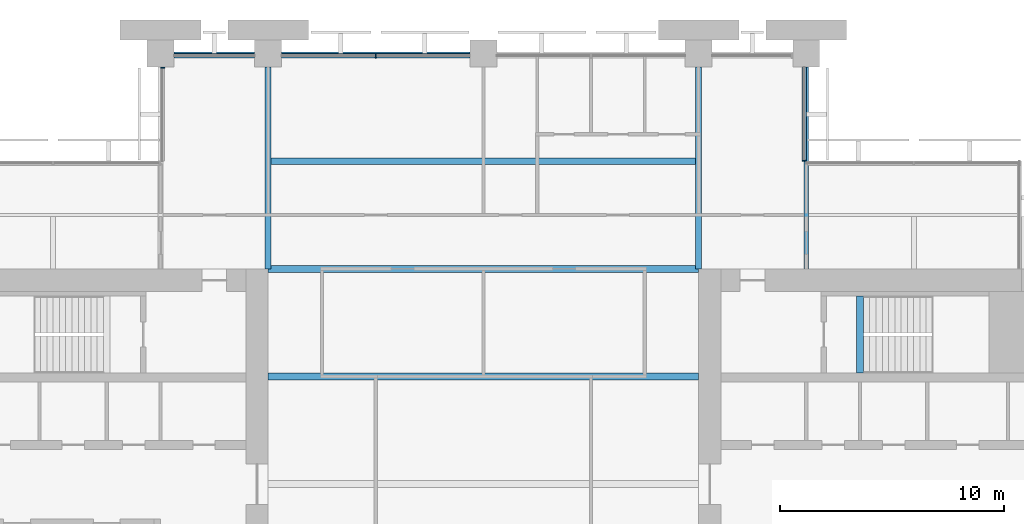
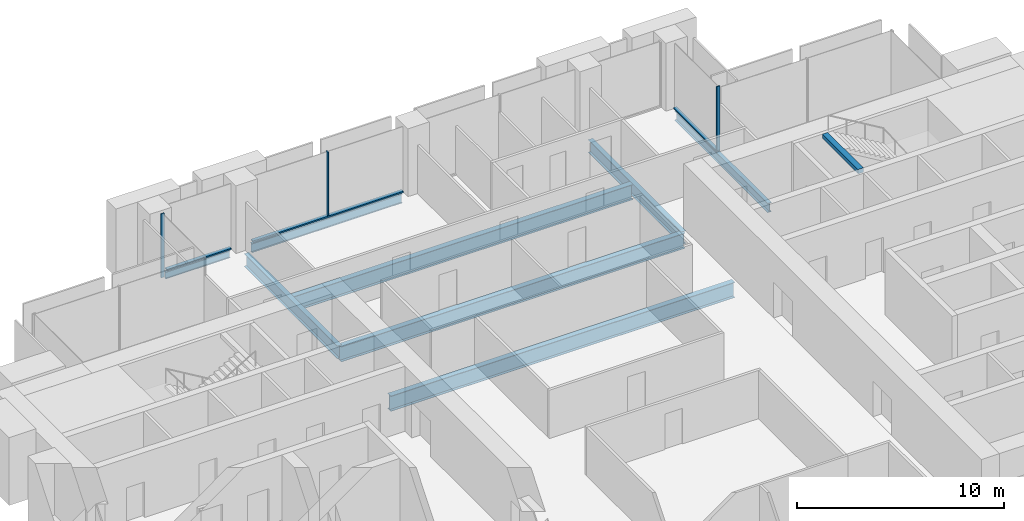
# One storey, part 6 of 14: 9 beams, 6 members, 3 elements without a shape of their own.
"""IFC4 building model written with IfcOpenShell, lengths in metres."""

from ifc_helpers import new_model, si_unit, direction, frame, origin, origin_2d, place, context, subcontext, project, spatial, rectangle, i_section, extrude, material, material_profile, profile_set, type_object, element, aggregate, save


model = new_model("IFC4")

# Units and contexts
model_context = context("Model", 3, precision=1e-05, world=origin(), true_north=direction((0.0, 1.0)))
body_context = subcontext(model_context, "Body", "Model", "MODEL_VIEW")
ifc_project = project(units=[si_unit("LENGTHUNIT", "METRE"), si_unit("AREAUNIT", "SQUARE_METRE"), si_unit("VOLUMEUNIT", "CUBIC_METRE"), si_unit("PLANEANGLEUNIT", "RADIAN"), si_unit("MASSUNIT", "GRAM", prefix="KILO")], contexts=[model_context])

# Site, building, storey
site_placement = place(None, origin())
site = spatial("IfcSite", under=ifc_project, at=site_placement, CompositionType="ELEMENT")
building_placement = place(site_placement, origin())
building = spatial("IfcBuilding", under=site, at=building_placement, Name="Baori Bourse Tower", CompositionType="ELEMENT")
storey_placement = place(building_placement, frame((0.0, 0.0, 124.10009765625)))
storey = spatial("IfcBuildingStorey", under=building, at=storey_placement, Name="L26", CompositionType="ELEMENT", Elevation=124.10009765625)

# Curtain wall, members
ifc_material_1 = material(Name="Pale anodised aluminium", Category="aluminium")
curtain_wall_type_1 = type_object("IfcCurtainWallType", Name="CW1 Curtain wall", PredefinedType="NOTDEFINED", material=ifc_material_1)
curtain_wall_1_placement = place(storey_placement, origin())
curtain_wall_1 = element("IfcCurtainWall", 1, at=curtain_wall_1_placement, inside=storey, type_object=curtain_wall_type_1, Name="Curtain wall CW1 L26 4", PredefinedType="NOTDEFINED")
ifc_material_2 = material(Name="Pale anodised aluminium", Category="aluminium")
ifc_material_profile_1 = material_profile(ifc_material_2, rectangle(XDim=0.199951171875, YDim=0.06005859375, at=origin_2d()), Name="Mullion 60x200")
ifc_profile_set_1 = profile_set([ifc_material_profile_1], Name="Pale anodised aluminium")
member_type_1 = type_object("IfcMemberType", Name="CW1 Curtain wall mullion", PredefinedType="MULLION", material=ifc_profile_set_1)
member_1_placement = place(storey_placement, frame((24.0, 47.89990234375, 0.079833984375), z_axis=(0.0, 0.0, 1.0), x_axis=(0.0, -1.0, 0.0)))
member_1 = element("IfcMember", 2, at=member_1_placement, type_object=member_type_1, Name="Curtain wall CW1 mullion", PredefinedType="MULLION", context=body_context, shape_type="SweptSolid", body=[
    extrude(rectangle(XDim=0.199951171875, YDim=0.06005859375, at=origin_2d()), origin(), (0.0, 0.0, 1.0), 3.760009765625),
])
ifc_material_3 = material(Name="Pale anodised aluminium", Category="aluminium")
ifc_material_profile_2 = material_profile(ifc_material_3, rectangle(XDim=0.199951171875, YDim=0.080078125, at=origin_2d()), Name="Transom 80x200")
ifc_profile_set_2 = profile_set([ifc_material_profile_2], Name="Pale anodised aluminium")
member_type_2 = type_object("IfcMemberType", Name="CW1 Curtain wall transom", PredefinedType="USERDEFINED", material=ifc_profile_set_2)
member_2_placement = place(storey_placement, frame((28.199951171875, 47.89990234375, 0.039794921875), z_axis=(-1.0, 0.0, 0.0), x_axis=(0.0, -1.0, 0.0)))
member_2 = element("IfcMember", 3, at=member_2_placement, type_object=member_type_2, Name="Curtain wall CW1 sill rail", ObjectType="TRANSOM", PredefinedType="USERDEFINED", context=body_context, shape_type="SweptSolid", body=[
    extrude(rectangle(XDim=0.199951171875, YDim=0.080078125, at=origin_2d()), origin(), (0.0, 0.0, 1.0), 8.39990234375),
])
member_3_placement = place(storey_placement, frame((18.60009765625, 47.89990234375, 0.039794921875), z_axis=(-1.0, 0.0, 0.0), x_axis=(0.0, -1.0, 0.0)))
member_3 = element("IfcMember", 4, at=member_3_placement, type_object=member_type_2, Name="Curtain wall CW1 sill rail", ObjectType="TRANSOM", PredefinedType="USERDEFINED", context=body_context, shape_type="SweptSolid", body=[
    extrude(rectangle(XDim=0.199951171875, YDim=0.080078125, at=origin_2d()), origin(), (0.0, 0.0, 1.0), 3.60009765625),
])
aggregate(curtain_wall_1, [member_2, member_1, member_3])

# Curtain wall, member
ifc_material_4 = material(Name="Pale anodised aluminium", Category="aluminium")
curtain_wall_type_2 = type_object("IfcCurtainWallType", Name="CW2 Curtain wall", PredefinedType="NOTDEFINED", material=ifc_material_4)
curtain_wall_2_placement = place(storey_placement, origin())
curtain_wall_2 = element("IfcCurtainWall", 5, at=curtain_wall_2_placement, inside=storey, type_object=curtain_wall_type_2, Name="Curtain wall CW2 L26 3", PredefinedType="NOTDEFINED")
ifc_material_5 = material(Name="Pale anodised aluminium", Category="aluminium")
ifc_material_profile_3 = material_profile(ifc_material_5, rectangle(XDim=0.179931640625, YDim=0.054931640625, at=origin_2d()), Name="Mullion 55x180")
ifc_profile_set_3 = profile_set([ifc_material_profile_3], Name="Pale anodised aluminium")
member_type_3 = type_object("IfcMemberType", Name="CW2 Curtain wall mullion", PredefinedType="MULLION", material=ifc_profile_set_3)
member_4_placement = place(storey_placement, frame((43.110107421875, 43.2275390625, 0.06982421875), z_axis=(0.0, 0.0, 1.0), x_axis=(-1.0, 0.0, 0.0)))
member_4 = element("IfcMember", 6, at=member_4_placement, type_object=member_type_3, Name="Curtain wall CW2 mullion", PredefinedType="MULLION", context=body_context, shape_type="SweptSolid", body=[
    extrude(rectangle(XDim=0.179931640625, YDim=0.054931640625, at=origin_2d()), origin(), (0.0, 0.0, 1.0), 3.77001953125),
])

curtain_wall_3_placement = place(storey_placement, origin())
curtain_wall_3 = element("IfcCurtainWall", 7, at=curtain_wall_3_placement, inside=storey, type_object=curtain_wall_type_2, Name="Curtain wall CW2 L26 5", PredefinedType="NOTDEFINED")
member_5_placement = place(storey_placement, frame((14.489990234375, 47.37255859375, 0.06982421875), z_axis=(0.0, 0.0, 1.0), x_axis=(1.0, 0.0, 0.0)))
member_5 = element("IfcMember", 8, at=member_5_placement, type_object=member_type_3, Name="Curtain wall CW2 mullion", PredefinedType="MULLION", context=body_context, shape_type="SweptSolid", body=[
    extrude(rectangle(XDim=0.179931640625, YDim=0.054931640625, at=origin_2d()), origin(), (0.0, 0.0, 1.0), 3.77001953125),
])
aggregate(curtain_wall_3, [member_5])

# Member
ifc_material_6 = material(Name="Pale anodised aluminium", Category="aluminium")
ifc_material_profile_4 = material_profile(ifc_material_6, rectangle(XDim=0.179931640625, YDim=0.070068359375, at=origin_2d()), Name="Transom 70x180")
ifc_profile_set_4 = profile_set([ifc_material_profile_4], Name="Pale anodised aluminium")
member_type_4 = type_object("IfcMemberType", Name="CW2 Curtain wall transom", PredefinedType="USERDEFINED", material=ifc_profile_set_4)
member_6_placement = place(storey_placement, frame((43.110107421875, 43.199951171875, 0.034912109375), z_axis=(0.0, 1.0, 0.0), x_axis=(-1.0, 0.0, 0.0)))
member_6 = element("IfcMember", 9, at=member_6_placement, type_object=member_type_4, Name="Curtain wall CW2 sill rail", ObjectType="TRANSOM", PredefinedType="USERDEFINED", context=body_context, shape_type="SweptSolid", body=[
    extrude(rectangle(XDim=0.179931640625, YDim=0.070068359375, at=origin_2d()), origin(), (0.0, 0.0, 1.0), 4.199951171875),
])

aggregate(curtain_wall_2, [member_6, member_4])

# Beams
ifc_material_7 = material(Name="Steel A992 Gr 50", Category="steel")
ifc_material_profile_5 = material_profile(ifc_material_7, i_section(OverallWidth=0.140380859375, OverallDepth=0.40380859375, WebThickness=0.007080078125, FlangeThickness=0.01123046875, at=origin_2d()), Name="W16x31")
ifc_profile_set_5 = profile_set([ifc_material_profile_5], Name="Steel A992 Gr 50")
beam_type_1 = type_object("IfcBeamType", Name="Edge beam W16x31", PredefinedType="BEAM", material=ifc_profile_set_5)
beam_1_placement = place(storey_placement, frame((15.0, 48.0, -0.362060546875), z_axis=(1.0, 0.0, 0.0), x_axis=(0.0, 1.0, 0.0)))
element("IfcBeam", 10, at=beam_1_placement, inside=storey, type_object=beam_type_1, Name="Edge beam L26", PredefinedType="BEAM", context=body_context, shape_type="SweptSolid", body=[
    extrude(i_section(OverallWidth=0.140380859375, OverallDepth=0.40380859375, WebThickness=0.007080078125, FlangeThickness=0.01123046875, at=origin_2d()), origin(), (0.0, 0.0, 1.0), 3.60009765625),
])
ifc_material_8 = material(Name="Steel A992 Gr 50", Category="steel")
ifc_material_profile_6 = material_profile(ifc_material_8, i_section(OverallWidth=0.1650390625, OverallDepth=0.52587890625, WebThickness=0.0087890625, FlangeThickness=0.011474609375, at=origin_2d()), Name="W21x44")
ifc_profile_set_6 = profile_set([ifc_material_profile_6], Name="Steel A992 Gr 50")
beam_type_2 = type_object("IfcBeamType", Name="Edge beam W21x44", PredefinedType="BEAM", material=ifc_profile_set_6)
beam_2_placement = place(storey_placement, frame((19.800048828125, 48.0, -0.423095703125), z_axis=(1.0, 0.0, 0.0), x_axis=(0.0, 1.0, 0.0)))
element("IfcBeam", 11, at=beam_2_placement, inside=storey, type_object=beam_type_2, Name="Edge beam L26", PredefinedType="BEAM", context=body_context, shape_type="SweptSolid", body=[
    extrude(i_section(OverallWidth=0.1650390625, OverallDepth=0.52587890625, WebThickness=0.0087890625, FlangeThickness=0.011474609375, at=origin_2d()), origin(), (0.0, 0.0, 1.0), 8.39990234375),
])
ifc_material_9 = material(Name="Steel A992 Gr 50", Category="steel")
ifc_material_profile_7 = material_profile(ifc_material_9, i_section(OverallWidth=0.21240234375, OverallDepth=0.54345703125, WebThickness=0.01318359375, FlangeThickness=0.021240234375, at=origin_2d()), Name="W21x83")
ifc_profile_set_7 = profile_set([ifc_material_profile_7], Name="Steel A992 Gr 50")
beam_type_3 = type_object("IfcBeamType", Name="Floor beam W21x83", PredefinedType="BEAM", material=ifc_profile_set_7)
beam_3_placement = place(storey_placement, frame((43.199951171875, 38.39990234375, -0.431884765625), z_axis=(0.0, 1.0, 0.0), x_axis=(-1.0, 0.0, 0.0)))
element("IfcBeam", 12, at=beam_3_placement, inside=storey, type_object=beam_type_3, Name="Floor beam L26", PredefinedType="BEAM", context=body_context, shape_type="SweptSolid", body=[
    extrude(i_section(OverallWidth=0.21240234375, OverallDepth=0.54345703125, WebThickness=0.01318359375, FlangeThickness=0.021240234375, at=origin_2d()), origin(), (0.0, 0.0, 1.0), 9.0),
])
ifc_material_10 = material(Name="Steel A992 Gr 50", Category="steel")
ifc_material_profile_8 = material_profile(ifc_material_10, i_section(OverallWidth=0.3046875, OverallDepth=0.904296875, WebThickness=0.01513671875, FlangeThickness=0.02001953125, at=origin_2d()), Name="W36x135")
ifc_profile_set_8 = profile_set([ifc_material_profile_8], Name="Steel A992 Gr 50")
beam_type_4 = type_object("IfcBeamType", Name="Floor beam W36x135", PredefinedType="BEAM", material=ifc_profile_set_8)
for number, where, z_axis, x_axis, name in (
    (13, (19.199951171875, 33.60009765625, -0.6123046875), (1.0, 0.0, 0.0), (0.0, 1.0, 0.0), "Floor beam L26"),
    (14, (19.199951171875, 38.39990234375, -0.6123046875), (1.0, 0.0, 0.0), (0.0, 1.0, 0.0), "Floor beam L26"),
):
    element("IfcBeam", number, at=place(storey_placement, frame(where, z_axis=z_axis, x_axis=x_axis)), inside=storey, type_object=beam_type_4, Name=name, PredefinedType="BEAM", context=body_context, shape_type="SweptSolid", body=[
        extrude(i_section(OverallWidth=0.3046875, OverallDepth=0.904296875, WebThickness=0.01513671875, FlangeThickness=0.02001953125, at=origin_2d()), origin(), (0.0, 0.0, 1.0), 19.199951171875),
    ])
beam_4_placement = place(storey_placement, frame((19.33203125, 43.199951171875, -0.6123046875), z_axis=(1.0, 0.0, 0.0), x_axis=(0.0, 1.0, 0.0)))
element("IfcBeam", 15, at=beam_4_placement, inside=storey, type_object=beam_type_4, Name="Floor beam L26", PredefinedType="BEAM", context=body_context, shape_type="SweptSolid", body=[
    extrude(i_section(OverallWidth=0.3046875, OverallDepth=0.904296875, WebThickness=0.01513671875, FlangeThickness=0.02001953125, at=origin_2d()), origin(), (0.0, 0.0, 1.0), 18.935791015625),
])
ifc_material_11 = material(Name="Steel A992 Gr 50", Category="steel")
ifc_material_profile_9 = material_profile(ifc_material_11, i_section(OverallWidth=0.26416015625, OverallDepth=0.749267578125, WebThickness=0.011962890625, FlangeThickness=0.015380859375, at=origin_2d()), Name="W30x90")
ifc_profile_set_9 = profile_set([ifc_material_profile_9], Name="Steel A992 Gr 50")
beam_type_5 = type_object("IfcBeamType", Name="Girder W30x90", PredefinedType="BEAM", material=ifc_profile_set_9)
for number, where, z_axis, x_axis, name in (
    (16, (19.199951171875, 38.39990234375, -0.53466796875), (0.0, 1.0, 0.0), (-1.0, 0.0, 0.0), "Girder L26"),
    (17, (38.39990234375, 38.39990234375, -0.53466796875), (0.0, 1.0, 0.0), (-1.0, 0.0, 0.0), "Girder L26"),
):
    element("IfcBeam", number, at=place(storey_placement, frame(where, z_axis=z_axis, x_axis=x_axis)), inside=storey, type_object=beam_type_5, Name=name, PredefinedType="BEAM", context=body_context, shape_type="SweptSolid", body=[
        extrude(i_section(OverallWidth=0.26416015625, OverallDepth=0.749267578125, WebThickness=0.011962890625, FlangeThickness=0.015380859375, at=origin_2d()), origin(), (0.0, 0.0, 1.0), 9.0),
    ])
ifc_material_12 = material(Name="Concrete f'c 50 MPa", Category="concrete")
ifc_material_profile_10 = material_profile(ifc_material_12, rectangle(XDim=0.300048828125, YDim=0.25, at=origin_2d()), Name="RC 300x250")
ifc_profile_set_10 = profile_set([ifc_material_profile_10], Name="Concrete f'c 50 MPa")
beam_type_6 = type_object("IfcBeamType", Name="Stair nib beam RC 300x250", PredefinedType="BEAM", material=ifc_profile_set_10)
beam_5_placement = place(storey_placement, frame((45.60009765625, 33.75, 3.71484375), z_axis=(0.0, 1.0, 0.0), x_axis=(-1.0, 0.0, 0.0)))
element("IfcBeam", 18, at=beam_5_placement, inside=storey, type_object=beam_type_6, Name="Stair EB nib beam L27", PredefinedType="BEAM", context=body_context, shape_type="SweptSolid", body=[
    extrude(rectangle(XDim=0.300048828125, YDim=0.25, at=origin_2d()), origin(), (0.0, 0.0, 1.0), 3.449951171875),
])

save(model, "model.ifc")
